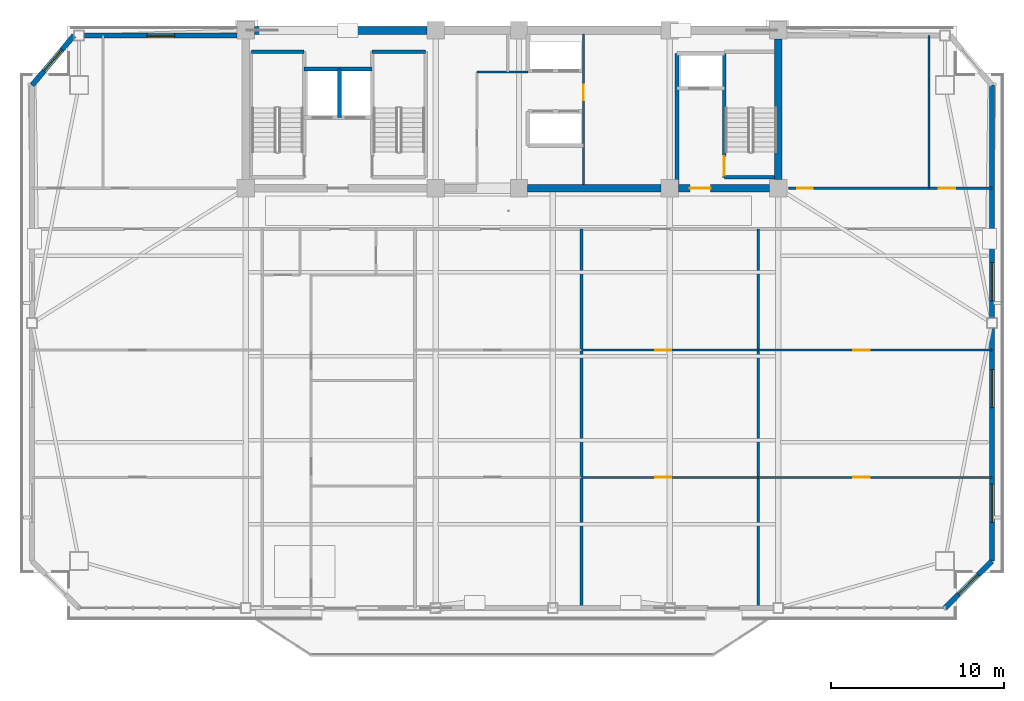
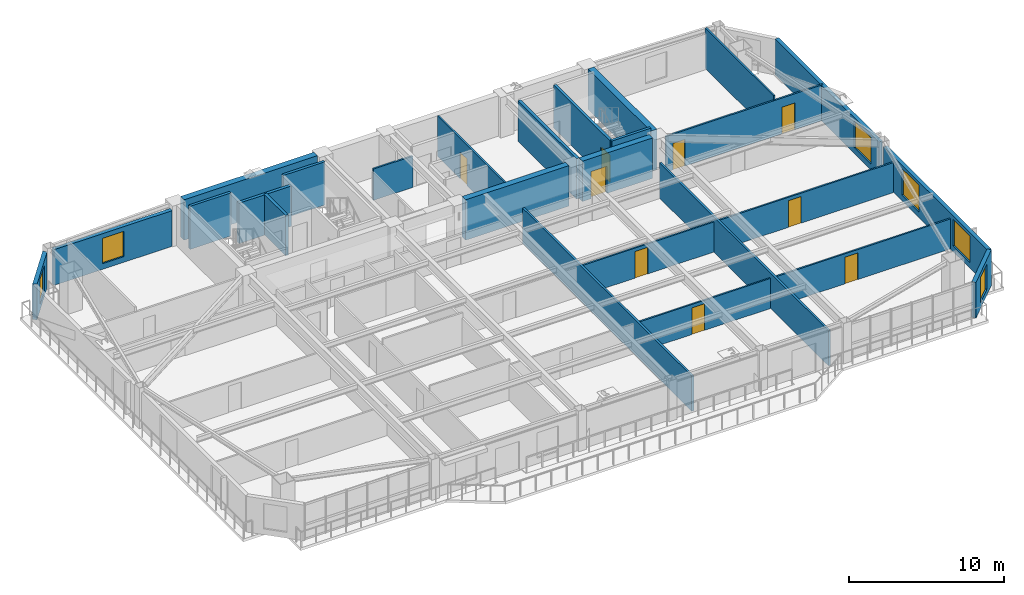
# One storey, part 10 of 16: 26 walls, 9 doors, 6 windows, 15 openings.
"""IFC4 building model written with IfcOpenShell, lengths in metres."""

from ifc_helpers import new_model, si_unit, direction, frame, frame_2d, origin, place, context, subcontext, project, spatial, rectangle, extrude, source, transform, mapped, material, layer, layer_set, type_object, element, fill, save


model = new_model("IFC4")

# Units and contexts
model_context = context("Model", 3, precision=1e-05, world=origin(), true_north=direction((0.0, 1.0)))
body_context = subcontext(model_context, "Body", "Model", "MODEL_VIEW")
ifc_project = project(units=[si_unit("LENGTHUNIT", "METRE"), si_unit("AREAUNIT", "SQUARE_METRE"), si_unit("VOLUMEUNIT", "CUBIC_METRE"), si_unit("PLANEANGLEUNIT", "RADIAN"), si_unit("MASSUNIT", "GRAM", prefix="KILO")], contexts=[model_context])

# Site, building, storey
site_placement = place(None, origin())
site = spatial("IfcSite", under=ifc_project, at=site_placement, CompositionType="ELEMENT")
building_placement = place(site_placement, origin())
building = spatial("IfcBuilding", under=site, at=building_placement, Name="Giltprow Tower", CompositionType="ELEMENT")
storey_placement = place(building_placement, frame((0.0, 0.0, 227.0)))
storey = spatial("IfcBuildingStorey", under=building, at=storey_placement, Name="L57", CompositionType="ELEMENT", Elevation=227.0)

# Wall, opening, window
ifc_material_1 = material(Name="Precast concrete C40", Category="concrete")
ifc_layer_1 = layer(ifc_material_1, 0.300048828125, Name="Precast concrete C40")
ifc_layer_set_1 = layer_set([ifc_layer_1], Name="Precast concrete C40")
wall_type_1 = type_object("IfcWallType", Name="EW-NOTCH-CHAMFER-300", PredefinedType="SOLIDWALL", material=ifc_layer_set_1)
wall_1_placement = place(storey_placement, frame((60.159912109375, 13.25, 0.0), z_axis=(0.0, 0.0, 1.0), x_axis=(0.707106781187, 0.707106781187, 0.0)))
wall_1 = element("IfcWall", 1, at=wall_1_placement, inside=storey, type_object=wall_type_1, Name="L57 Corner Notch Wall SE", PredefinedType="SOLIDWALL", context=body_context, shape_type="SweptSolid", body=[
    extrude(rectangle(XDim=3.828369140625, YDim=0.300048828125, at=frame_2d((1.9140625, 0.0))), origin(), (0.0, 0.0, 1.0), 2.81494140625),
])
opening_1_placement = place(wall_1_placement, frame((1.114013671875, 0.0, 0.449951171875)))
opening_1 = element("IfcOpeningElement", 2, at=opening_1_placement, cuts=wall_1, Name="Opening WN17", PredefinedType="OPENING", context=body_context, shape_type="SweptSolid", body=[
    extrude(rectangle(XDim=1.60009765625, YDim=2.0, at=frame_2d((0.800048828125, 1.0))), frame((0.0, 0.159912109375, 0.0), z_axis=(0.0, -1.0, 0.0), x_axis=(1.0, 0.0, 0.0)), (0.0, 0.0, 1.0), 0.320068359375),
])
ifc_material_2 = material(Name="Insulated glass", Category="glass")
window_type_1 = type_object("IfcWindowType", Name="WN-COR-1600x2000", PartitioningType="SINGLE_PANEL", PredefinedType="WINDOW", material=ifc_material_2)
shared_shape_1 = source(origin(), body_context, "Body", "SweptSolid", [
    extrude(rectangle(XDim=1.60009765625, YDim=2.0, at=frame_2d((0.800048828125, 1.0))), frame((0.0, 0.030029296875, 0.0), z_axis=(0.0, -1.0, 0.0), x_axis=(1.0, 0.0, 0.0)), (0.0, 0.0, 1.0), 0.06005859375),
])
window_1_placement = place(opening_1_placement, origin())
window_1 = element("IfcWindow", 3, at=window_1_placement, inside=storey, type_object=window_type_1, Name="L57 Corner Notch Window SE", OverallHeight=2.0, OverallWidth=1.60009765625, PartitioningType="SINGLE_PANEL", PredefinedType="WINDOW", context=body_context, shape_type="MappedRepresentation", body=[
    mapped(shared_shape_1, transform((0.0, 0.0, 0.0), x_axis=(1.0, 0.0, 0.0), y_axis=(0.0, 1.0, 0.0), z_axis=(0.0, 0.0, 1.0), scale=1.0)),
])
fill(opening_1, window_1)

wall_2_placement = place(storey_placement, frame((9.93994140625, 46.25, 0.0), z_axis=(0.0, 0.0, 1.0), x_axis=(-0.644314839722, -0.764760346326, 0.0)))
wall_2 = element("IfcWall", 4, at=wall_2_placement, inside=storey, type_object=wall_type_1, Name="L57 Corner Notch Wall NW", PredefinedType="SOLIDWALL", context=body_context, shape_type="SweptSolid", body=[
    extrude(rectangle(XDim=3.73583984375, YDim=0.300048828125, at=frame_2d((1.867919921875, 0.0))), origin(), (0.0, 0.0, 1.0), 2.81494140625),
])
opening_2_placement = place(wall_2_placement, frame((1.068115234375, 0.0, 0.449951171875)))
opening_2 = element("IfcOpeningElement", 5, at=opening_2_placement, cuts=wall_2, Name="Opening WN17", PredefinedType="OPENING", context=body_context, shape_type="SweptSolid", body=[
    extrude(rectangle(XDim=1.60009765625, YDim=2.0, at=frame_2d((0.800048828125, 1.0))), frame((0.0, 0.159912109375, 0.0), z_axis=(0.0, -1.0, 0.0), x_axis=(1.0, 0.0, 0.0)), (0.0, 0.0, 1.0), 0.320068359375),
])
window_2_placement = place(opening_2_placement, origin())
window_2 = element("IfcWindow", 6, at=window_2_placement, inside=storey, type_object=window_type_1, Name="L57 Corner Notch Window NW", OverallHeight=2.0, OverallWidth=1.60009765625, PartitioningType="SINGLE_PANEL", PredefinedType="WINDOW", context=body_context, shape_type="MappedRepresentation", body=[
    mapped(shared_shape_1, transform((0.0, 0.0, 0.0), x_axis=(1.0, 0.0, 0.0), y_axis=(0.0, 1.0, 0.0), z_axis=(0.0, 0.0, 1.0), scale=1.0)),
])
fill(opening_2, window_2)

# Wall, openings, windows
ifc_layer_2 = layer(ifc_material_1, 0.280029296875, Name="Precast concrete C40")
ifc_layer_set_2 = layer_set([ifc_layer_2], Name="Precast concrete C40")
wall_type_2 = type_object("IfcWallType", Name="EW-TOW-BRONZE-280", PredefinedType="SOLIDWALL", material=ifc_layer_set_2)
wall_3_placement = place(storey_placement, frame((62.866943359375, 15.95703125, 0.0), z_axis=(0.0, 0.0, 1.0), x_axis=(0.0, 1.0, 0.0)))
wall_3 = element("IfcWall", 7, at=wall_3_placement, inside=storey, type_object=wall_type_2, Name="L57 E Wing Masonry Wall 1", PredefinedType="SOLIDWALL", context=body_context, shape_type="SweptSolid", body=[
    extrude(rectangle(XDim=13.41796875, YDim=0.280029296875, at=frame_2d((6.708984375, 0.0))), origin(), (0.0, 0.0, 1.0), 2.81494140625),
])
opening_3_placement = place(wall_3_placement, frame((2.22705078125, 0.0, 0.449951171875)))
opening_3 = element("IfcOpeningElement", 8, at=opening_3_placement, cuts=wall_3, Name="Opening WN27", PredefinedType="OPENING", context=body_context, shape_type="SweptSolid", body=[
    extrude(rectangle(XDim=2.199951171875, YDim=2.10009765625, at=frame_2d((1.10009765625, 1.050048828125))), frame((0.0, 0.14990234375, 0.0), z_axis=(0.0, -1.0, 0.0), x_axis=(1.0, 0.0, 0.0)), (0.0, 0.0, 1.0), 0.300048828125),
])
opening_4_placement = place(wall_3_placement, frame((8.837890625, 0.0, 0.449951171875)))
opening_4 = element("IfcOpeningElement", 9, at=opening_4_placement, cuts=wall_3, Name="Opening WN27", PredefinedType="OPENING", context=body_context, shape_type="SweptSolid", body=[
    extrude(rectangle(XDim=2.199951171875, YDim=2.10009765625, at=frame_2d((1.10009765625, 1.050048828125))), frame((0.0, 0.14990234375, 0.0), z_axis=(0.0, -1.0, 0.0), x_axis=(1.0, 0.0, 0.0)), (0.0, 0.0, 1.0), 0.300048828125),
])
window_type_2 = type_object("IfcWindowType", Name="WN-RES-2200x2100", PartitioningType="TRIPLE_PANEL_VERTICAL", PredefinedType="WINDOW", material=ifc_material_2)
shared_shape_2 = source(origin(), body_context, "Body", "SweptSolid", [
    extrude(rectangle(XDim=2.199951171875, YDim=2.10009765625, at=frame_2d((1.10009765625, 1.050048828125))), frame((0.0, 0.030029296875, 0.0), z_axis=(0.0, -1.0, 0.0), x_axis=(1.0, 0.0, 0.0)), (0.0, 0.0, 1.0), 0.06005859375),
])
window_3_placement = place(opening_3_placement, origin())
window_3 = element("IfcWindow", 10, at=window_3_placement, inside=storey, type_object=window_type_2, Name="L57 E Wing Window 1-1A", OverallHeight=2.10009765625, OverallWidth=2.199951171875, PartitioningType="SINGLE_PANEL", PredefinedType="WINDOW", context=body_context, shape_type="MappedRepresentation", body=[
    mapped(shared_shape_2, transform((0.0, 0.0, 0.0), x_axis=(1.0, 0.0, 0.0), y_axis=(0.0, 1.0, 0.0), z_axis=(0.0, 0.0, 1.0), scale=1.0)),
])
fill(opening_3, window_3)
window_4_placement = place(opening_4_placement, origin())
window_4 = element("IfcWindow", 11, at=window_4_placement, inside=storey, type_object=window_type_2, Name="L57 E Wing Window 1-1B", OverallHeight=2.10009765625, OverallWidth=2.199951171875, PartitioningType="SINGLE_PANEL", PredefinedType="WINDOW", context=body_context, shape_type="MappedRepresentation", body=[
    mapped(shared_shape_2, transform((0.0, 0.0, 0.0), x_axis=(1.0, 0.0, 0.0), y_axis=(0.0, 1.0, 0.0), z_axis=(0.0, 0.0, 1.0), scale=1.0)),
])
fill(opening_4, window_4)

# Wall, opening, window
wall_4_placement = place(storey_placement, frame((62.866943359375, 29.97509765625, 0.0), z_axis=(0.0, 0.0, 1.0), x_axis=(0.0, 1.0, 0.0)))
wall_4 = element("IfcWall", 12, at=wall_4_placement, inside=storey, type_object=wall_type_2, Name="L57 E Wing Masonry Wall 2", PredefinedType="SOLIDWALL", context=body_context, shape_type="SweptSolid", body=[
    extrude(rectangle(XDim=13.41796875, YDim=0.280029296875, at=frame_2d((6.708984375, 0.0))), origin(), (0.0, 0.0, 1.0), 2.81494140625),
])
opening_5_placement = place(wall_4_placement, frame((0.98388671875, 0.0, 0.449951171875)))
opening_5 = element("IfcOpeningElement", 13, at=opening_5_placement, cuts=wall_4, Name="Opening WN27", PredefinedType="OPENING", context=body_context, shape_type="SweptSolid", body=[
    extrude(rectangle(XDim=2.199951171875, YDim=2.10009765625, at=frame_2d((1.10009765625, 1.050048828125))), frame((0.0, 0.14990234375, 0.0), z_axis=(0.0, -1.0, 0.0), x_axis=(1.0, 0.0, 0.0)), (0.0, 0.0, 1.0), 0.300048828125),
])
window_5_placement = place(opening_5_placement, origin())
window_5 = element("IfcWindow", 14, at=window_5_placement, inside=storey, type_object=window_type_2, Name="L57 E Wing Window 2-1", OverallHeight=2.10009765625, OverallWidth=2.199951171875, PartitioningType="SINGLE_PANEL", PredefinedType="WINDOW", context=body_context, shape_type="MappedRepresentation", body=[
    mapped(shared_shape_2, transform((0.0, 0.0, 0.0), x_axis=(1.0, 0.0, 0.0), y_axis=(0.0, 1.0, 0.0), z_axis=(0.0, 0.0, 1.0), scale=1.0)),
])
fill(opening_5, window_5)

wall_5_placement = place(storey_placement, frame((10.5400390625, 46.25, 0.0), z_axis=(0.0, 0.0, 1.0), x_axis=(1.0, 0.0, 0.0)))
wall_5 = element("IfcWall", 15, at=wall_5_placement, inside=storey, type_object=wall_type_2, Name="L57 North-West Wing Wall", PredefinedType="SOLIDWALL", context=body_context, shape_type="SweptSolid", body=[
    extrude(rectangle(XDim=8.81005859375, YDim=0.280029296875, at=frame_2d((4.405029296875, 0.0))), origin(), (0.0, 0.0, 1.0), 2.81494140625),
])
opening_6_placement = place(wall_5_placement, frame((3.60498046875, 0.0, 0.449951171875)))
opening_6 = element("IfcOpeningElement", 16, at=opening_6_placement, cuts=wall_5, Name="Opening WN17", PredefinedType="OPENING", context=body_context, shape_type="SweptSolid", body=[
    extrude(rectangle(XDim=1.60009765625, YDim=2.0, at=frame_2d((0.800048828125, 1.0))), frame((0.0, 0.14990234375, 0.0), z_axis=(0.0, -1.0, 0.0), x_axis=(1.0, 0.0, 0.0)), (0.0, 0.0, 1.0), 0.300048828125),
])
window_6_placement = place(opening_6_placement, origin())
window_6 = element("IfcWindow", 17, at=window_6_placement, inside=storey, type_object=window_type_1, Name="L57 North-West Window", OverallHeight=2.0, OverallWidth=1.60009765625, PartitioningType="SINGLE_PANEL", PredefinedType="WINDOW", context=body_context, shape_type="MappedRepresentation", body=[
    mapped(shared_shape_1, transform((0.0, 0.0, 0.0), x_axis=(1.0, 0.0, 0.0), y_axis=(0.0, 1.0, 0.0), z_axis=(0.0, 0.0, 1.0), scale=1.0)),
])
fill(opening_6, window_6)

# Walls
ifc_material_3 = material(Name="Gypsum stud partition", Category="gypsum")
ifc_layer_3 = layer(ifc_material_3, 0.159912109375, Name="Gypsum stud partition")
ifc_layer_set_3 = layer_set([ifc_layer_3], Name="Gypsum stud partition")
wall_type_3 = type_object("IfcWallType", Name="IW-DEMISE-160", PredefinedType="PARTITIONING", material=ifc_layer_set_3)
for number, where, z_axis, x_axis, name in (
    (18, (39.199951171875, 13.25, 0.0), (0.0, 0.0, 1.0), (0.0, 1.0, 0.0), "L57 Apartment Party Wall 3"),
    (19, (49.39990234375, 13.25, 0.0), (0.0, 0.0, 1.0), (0.0, 1.0, 0.0), "L57 Apartment Party Wall 4"),
):
    element("IfcWall", number, at=place(storey_placement, frame(where, z_axis=z_axis, x_axis=x_axis)), inside=storey, type_object=wall_type_3, Name=name, PredefinedType="PARTITIONING", context=body_context, shape_type="SweptSolid", body=[
        extrude(rectangle(XDim=21.85009765625, YDim=0.159912109375, at=frame_2d((10.925048828125, 0.0))), origin(), (0.0, 0.0, 1.0), 2.77001953125),
    ])

# Wall, opening, door
ifc_layer_4 = layer(ifc_material_3, 0.1201171875, Name="Gypsum stud partition")
ifc_layer_set_4 = layer_set([ifc_layer_4], Name="Gypsum stud partition")
wall_type_4 = type_object("IfcWallType", Name="IW-ROOM-120", PredefinedType="PARTITIONING", material=ifc_layer_set_4)
wall_6_placement = place(storey_placement, frame((39.199951171875, 20.783935546875, 0.0), z_axis=(0.0, 0.0, 1.0), x_axis=(1.0, 0.0, 0.0)))
wall_6 = element("IfcWall", 20, at=wall_6_placement, inside=storey, type_object=wall_type_4, Name="L57 Special Split 1", PredefinedType="PARTITIONING", context=body_context, shape_type="SweptSolid", body=[
    extrude(rectangle(XDim=10.199951171875, YDim=0.1201171875, at=frame_2d((5.10009765625, 0.0))), origin(), (0.0, 0.0, 1.0), 2.3701171875),
])
opening_7_placement = place(wall_6_placement, frame((4.24609375, 0.0, 0.0)))
opening_7 = element("IfcOpeningElement", 21, at=opening_7_placement, cuts=wall_6, Name="Opening ID11", PredefinedType="OPENING", context=body_context, shape_type="SweptSolid", body=[
    extrude(rectangle(XDim=0.949951171875, YDim=2.10009765625, at=frame_2d((0.47509765625, 1.050048828125))), frame((0.0, 0.070068359375, 0.0), z_axis=(0.0, -1.0, 0.0), x_axis=(1.0, 0.0, 0.0)), (0.0, 0.0, 1.0), 0.14013671875),
])
ifc_material_4 = material(Name="Engineered timber", Category="wood")
door_type_1 = type_object("IfcDoorType", Name="DR-ROOM-950", OperationType="SINGLE_SWING_RIGHT", PredefinedType="DOOR", material=ifc_material_4)
shared_shape_3 = source(origin(), body_context, "Body", "SweptSolid", [
    extrude(rectangle(XDim=0.949951171875, YDim=2.10009765625, at=frame_2d((0.47509765625, 1.050048828125))), frame((0.0, 0.02490234375, 0.0), z_axis=(0.0, -1.0, 0.0), x_axis=(1.0, 0.0, 0.0)), (0.0, 0.0, 1.0), 0.050048828125),
])
door_1_placement = place(opening_7_placement, origin())
door_1 = element("IfcDoor", 22, at=door_1_placement, inside=storey, type_object=door_type_1, Name="L57 Residents Sky Club Lounge South Door", OperationType="SINGLE_SWING_RIGHT", OverallHeight=2.10009765625, OverallWidth=0.949951171875, PredefinedType="DOOR", context=body_context, shape_type="MappedRepresentation", body=[
    mapped(shared_shape_3, transform((0.0, 0.0, 0.0), x_axis=(1.0, 0.0, 0.0), y_axis=(0.0, 1.0, 0.0), z_axis=(0.0, 0.0, 1.0), scale=1.0)),
])
fill(opening_7, door_1)

wall_7_placement = place(storey_placement, frame((39.199951171875, 28.117919921875, 0.0), z_axis=(0.0, 0.0, 1.0), x_axis=(1.0, 0.0, 0.0)))
wall_7 = element("IfcWall", 23, at=wall_7_placement, inside=storey, type_object=wall_type_4, Name="L57 Special Split 2", PredefinedType="PARTITIONING", context=body_context, shape_type="SweptSolid", body=[
    extrude(rectangle(XDim=10.199951171875, YDim=0.1201171875, at=frame_2d((5.10009765625, 0.0))), origin(), (0.0, 0.0, 1.0), 2.3701171875),
])
opening_8_placement = place(wall_7_placement, frame((4.24609375, 0.0, 0.0)))
opening_8 = element("IfcOpeningElement", 24, at=opening_8_placement, cuts=wall_7, Name="Opening ID11", PredefinedType="OPENING", context=body_context, shape_type="SweptSolid", body=[
    extrude(rectangle(XDim=0.949951171875, YDim=2.10009765625, at=frame_2d((0.47509765625, 1.050048828125))), frame((0.0, 0.070068359375, 0.0), z_axis=(0.0, -1.0, 0.0), x_axis=(1.0, 0.0, 0.0)), (0.0, 0.0, 1.0), 0.14013671875),
])
door_2_placement = place(opening_8_placement, origin())
door_2 = element("IfcDoor", 25, at=door_2_placement, inside=storey, type_object=door_type_1, Name="L57 Residents Sky Club Lounge Mid Door", OperationType="SINGLE_SWING_LEFT", OverallHeight=2.10009765625, OverallWidth=0.949951171875, PredefinedType="DOOR", context=body_context, shape_type="MappedRepresentation", body=[
    mapped(shared_shape_3, transform((0.0, 0.0, 0.0), x_axis=(1.0, 0.0, 0.0), y_axis=(0.0, 1.0, 0.0), z_axis=(0.0, 0.0, 1.0), scale=1.0)),
])
fill(opening_8, door_2)

wall_8_placement = place(storey_placement, frame((49.39990234375, 20.783935546875, 0.0), z_axis=(0.0, 0.0, 1.0), x_axis=(1.0, 0.0, 0.0)))
wall_8 = element("IfcWall", 26, at=wall_8_placement, inside=storey, type_object=wall_type_4, Name="L57 Special Split 1", PredefinedType="PARTITIONING", context=body_context, shape_type="SweptSolid", body=[
    extrude(rectangle(XDim=13.467041015625, YDim=0.1201171875, at=frame_2d((6.7333984375, 0.0))), origin(), (0.0, 0.0, 1.0), 2.3701171875),
])
opening_9_placement = place(wall_8_placement, frame((5.472900390625, 0.0, 0.0)))
opening_9 = element("IfcOpeningElement", 27, at=opening_9_placement, cuts=wall_8, Name="Opening ID11", PredefinedType="OPENING", context=body_context, shape_type="SweptSolid", body=[
    extrude(rectangle(XDim=0.949951171875, YDim=2.10009765625, at=frame_2d((0.47509765625, 1.050048828125))), frame((0.0, 0.070068359375, 0.0), z_axis=(0.0, -1.0, 0.0), x_axis=(1.0, 0.0, 0.0)), (0.0, 0.0, 1.0), 0.14013671875),
])
door_3_placement = place(opening_9_placement, origin())
door_3 = element("IfcDoor", 28, at=door_3_placement, inside=storey, type_object=door_type_1, Name="L57 Sky Music Lounge South Door", OperationType="SINGLE_SWING_LEFT", OverallHeight=2.10009765625, OverallWidth=0.949951171875, PredefinedType="DOOR", context=body_context, shape_type="MappedRepresentation", body=[
    mapped(shared_shape_3, transform((0.0, 0.0, 0.0), x_axis=(1.0, 0.0, 0.0), y_axis=(0.0, 1.0, 0.0), z_axis=(0.0, 0.0, 1.0), scale=1.0)),
])
fill(opening_9, door_3)

wall_9_placement = place(storey_placement, frame((49.39990234375, 28.117919921875, 0.0), z_axis=(0.0, 0.0, 1.0), x_axis=(1.0, 0.0, 0.0)))
wall_9 = element("IfcWall", 29, at=wall_9_placement, inside=storey, type_object=wall_type_4, Name="L57 Special Split 2", PredefinedType="PARTITIONING", context=body_context, shape_type="SweptSolid", body=[
    extrude(rectangle(XDim=13.467041015625, YDim=0.1201171875, at=frame_2d((6.7333984375, 0.0))), origin(), (0.0, 0.0, 1.0), 2.3701171875),
])
opening_10_placement = place(wall_9_placement, frame((5.472900390625, 0.0, 0.0)))
opening_10 = element("IfcOpeningElement", 30, at=opening_10_placement, cuts=wall_9, Name="Opening ID11", PredefinedType="OPENING", context=body_context, shape_type="SweptSolid", body=[
    extrude(rectangle(XDim=0.949951171875, YDim=2.10009765625, at=frame_2d((0.47509765625, 1.050048828125))), frame((0.0, 0.070068359375, 0.0), z_axis=(0.0, -1.0, 0.0), x_axis=(1.0, 0.0, 0.0)), (0.0, 0.0, 1.0), 0.14013671875),
])
door_4_placement = place(opening_10_placement, origin())
door_4 = element("IfcDoor", 31, at=door_4_placement, inside=storey, type_object=door_type_1, Name="L57 Sky Music Lounge Mid Door", OperationType="SINGLE_SWING_RIGHT", OverallHeight=2.10009765625, OverallWidth=0.949951171875, PredefinedType="DOOR", context=body_context, shape_type="MappedRepresentation", body=[
    mapped(shared_shape_3, transform((0.0, 0.0, 0.0), x_axis=(1.0, 0.0, 0.0), y_axis=(0.0, 1.0, 0.0), z_axis=(0.0, 0.0, 1.0), scale=1.0)),
])
fill(opening_10, door_4)

# Walls
ifc_material_5 = material(Name="Concrete C40", Category="concrete")
ifc_layer_5 = layer(ifc_material_5, 0.219970703125, Name="Concrete C40")
ifc_layer_set_5 = layer_set([ifc_layer_5], Name="Concrete C40")
wall_type_5 = type_object("IfcWallType", Name="IW-SHAFT-220", PredefinedType="SOLIDWALL", material=ifc_layer_set_5)
wall_10_placement = place(storey_placement, frame((25.260009765625, 41.52001953125, 0.0), z_axis=(0.0, 0.0, 1.0), x_axis=(0.0, 1.0, 0.0)))
element("IfcWall", 32, at=wall_10_placement, inside=storey, type_object=wall_type_5, Name="L57 FFL1-SVL1 Shaft Divider", PredefinedType="SOLIDWALL", context=body_context, shape_type="SweptSolid", body=[
    extrude(rectangle(XDim=2.800048828125, YDim=0.219970703125, at=frame_2d((1.39990234375, 0.0))), origin(), (0.0, 0.0, 1.0), 3.18505859375),
])
wall_11_placement = place(storey_placement, frame((23.219970703125, 44.320068359375, 0.0), z_axis=(0.0, 0.0, 1.0), x_axis=(1.0, 0.0, 0.0)))
element("IfcWall", 33, at=wall_11_placement, inside=storey, type_object=wall_type_5, Name="L57 FFL1-SVL1 Back Shaft Wall", PredefinedType="SOLIDWALL", context=body_context, shape_type="SweptSolid", body=[
    extrude(rectangle(XDim=3.919921875, YDim=0.219970703125, at=frame_2d((1.9599609375, 0.0))), origin(), (0.0, 0.0, 1.0), 3.18505859375),
])
wall_12_placement = place(storey_placement, frame((44.719970703125, 37.655029296875, 0.0), z_axis=(0.0, 0.0, 1.0), x_axis=(0.0, 1.0, 0.0)))
element("IfcWall", 34, at=wall_12_placement, inside=storey, type_object=wall_type_5, Name="L57 East Firefighting Lobby West Wall", PredefinedType="SOLIDWALL", context=body_context, shape_type="SweptSolid", body=[
    extrude(rectangle(XDim=7.56494140625, YDim=0.219970703125, at=frame_2d((3.782470703125, 0.0))), origin(), (0.0, 0.0, 1.0), 3.18505859375),
])
ifc_layer_6 = layer(ifc_material_5, 0.199951171875, Name="Concrete C40")
ifc_layer_set_6 = layer_set([ifc_layer_6], Name="Concrete C40")
wall_type_6 = type_object("IfcWallType", Name="IW-STAIR-200", PredefinedType="SOLIDWALL", material=ifc_layer_set_6)
wall_13_placement = place(storey_placement, frame((20.169921875, 45.320068359375, 0.0), z_axis=(0.0, 0.0, 1.0), x_axis=(1.0, 0.0, 0.0)))
element("IfcWall", 35, at=wall_13_placement, inside=storey, type_object=wall_type_6, Name="L57 Stair ST-1 North Bearing Wall", PredefinedType="SOLIDWALL", context=body_context, shape_type="SweptSolid", body=[
    extrude(rectangle(XDim=3.050048828125, YDim=0.199951171875, at=frame_2d((1.52490234375, 0.0))), origin(), (0.0, 0.0, 1.0), 3.39990234375),
])
wall_14_placement = place(storey_placement, frame((27.139892578125, 45.320068359375, 0.0), z_axis=(0.0, 0.0, 1.0), x_axis=(1.0, 0.0, 0.0)))
element("IfcWall", 36, at=wall_14_placement, inside=storey, type_object=wall_type_6, Name="L57 Stair ST-2 North Bearing Wall", PredefinedType="SOLIDWALL", context=body_context, shape_type="SweptSolid", body=[
    extrude(rectangle(XDim=3.080078125, YDim=0.199951171875, at=frame_2d((1.5400390625, 0.0))), origin(), (0.0, 0.0, 1.0), 3.39990234375),
])

# Wall, opening, door
wall_15_placement = place(storey_placement, frame((47.43994140625, 38.070068359375, 0.0), z_axis=(0.0, 0.0, 1.0), x_axis=(0.0, 1.0, 0.0)))
wall_15 = element("IfcWall", 37, at=wall_15_placement, inside=storey, type_object=wall_type_6, Name="L57 Stair ST-3 West Bearing Wall", PredefinedType="SOLIDWALL", context=body_context, shape_type="SweptSolid", body=[
    extrude(rectangle(XDim=7.25, YDim=0.199951171875, at=frame_2d((3.625, 0.0))), origin(), (0.0, 0.0, 1.0), 3.39990234375),
])
opening_11_placement = place(wall_15_placement, frame((0.110107421875, 0.0, 0.0)))
opening_11 = element("IfcOpeningElement", 38, at=opening_11_placement, cuts=wall_15, Name="Opening ID33", PredefinedType="OPENING", context=body_context, shape_type="SweptSolid", body=[
    extrude(rectangle(XDim=1.10009765625, YDim=2.14990234375, at=frame_2d((0.550048828125, 1.074951171875))), frame((0.0, 0.10986328125, 0.0), z_axis=(0.0, -1.0, 0.0), x_axis=(1.0, 0.0, 0.0)), (0.0, 0.0, 1.0), 0.219970703125),
])
ifc_material_6 = material(Name="Steel fire leaf", Category="steel")
door_type_2 = type_object("IfcDoorType", Name="DR-STAIR-1100", OperationType="SINGLE_SWING_LEFT", PredefinedType="DOOR", material=ifc_material_6)
shared_shape_4 = source(origin(), body_context, "Body", "SweptSolid", [
    extrude(rectangle(XDim=1.10009765625, YDim=2.14990234375, at=frame_2d((0.550048828125, 1.074951171875))), frame((0.0, 0.02490234375, 0.0), z_axis=(0.0, -1.0, 0.0), x_axis=(1.0, 0.0, 0.0)), (0.0, 0.0, 1.0), 0.050048828125),
])
door_5_placement = place(opening_11_placement, origin())
door_5 = element("IfcDoor", 39, at=door_5_placement, inside=storey, type_object=door_type_2, Name="L57 Stair ST-3 Fire Door", OperationType="SINGLE_SWING_LEFT", OverallHeight=2.14990234375, OverallWidth=1.10009765625, PredefinedType="DOOR", context=body_context, shape_type="MappedRepresentation", body=[
    mapped(shared_shape_4, transform((0.0, 0.0, 0.0), x_axis=(1.0, 0.0, 0.0), y_axis=(0.0, 1.0, 0.0), z_axis=(0.0, 0.0, 1.0), scale=1.0)),
])
fill(opening_11, door_5)

# Walls
wall_16_placement = place(storey_placement, frame((47.43994140625, 38.070068359375, 0.0), z_axis=(0.0, 0.0, 1.0), x_axis=(1.0, 0.0, 0.0)))
element("IfcWall", 40, at=wall_16_placement, inside=storey, type_object=wall_type_6, Name="L57 Stair ST-3 South Bearing Wall", PredefinedType="SOLIDWALL", context=body_context, shape_type="SweptSolid", body=[
    extrude(rectangle(XDim=2.905029296875, YDim=0.199951171875, at=frame_2d((1.45263671875, 0.0))), origin(), (0.0, 0.0, 1.0), 3.39990234375),
])
ifc_material_7 = material(Name="Concrete C30", Category="concrete")
ifc_layer_7 = layer(ifc_material_7, 0.1298828125, Name="Concrete C30")
ifc_layer_set_7 = layer_set([ifc_layer_7], Name="Concrete C30")
wall_type_7 = type_object("IfcWallType", Name="IW-WET-130", PredefinedType="PARTITIONING", material=ifc_layer_set_7)
wall_17_placement = place(storey_placement, frame((33.179931640625, 44.14990234375, 0.0), z_axis=(0.0, 0.0, 1.0), x_axis=(1.0, 0.0, 0.0)))
element("IfcWall", 41, at=wall_17_placement, inside=storey, type_object=wall_type_7, Name="L57 Reclaimed West Pocket Wall S", PredefinedType="PARTITIONING", context=body_context, shape_type="SweptSolid", body=[
    extrude(rectangle(XDim=2.940185546875, YDim=0.1298828125, at=frame_2d((1.47021484375, 0.0))), origin(), (0.0, 0.0, 1.0), 2.469970703125),
])

# Wall, opening, door
wall_18_placement = place(storey_placement, frame((39.320068359375, 37.655029296875, 0.0), z_axis=(0.0, 0.0, 1.0), x_axis=(0.0, 1.0, 0.0)))
wall_18 = element("IfcWall", 42, at=wall_18_placement, inside=storey, type_object=wall_type_7, Name="L57 Reclaimed East Core Wall", PredefinedType="PARTITIONING", context=body_context, shape_type="SweptSolid", body=[
    extrude(rectangle(XDim=8.68994140625, YDim=0.1298828125, at=frame_2d((4.344970703125, 0.0))), origin(), (0.0, 0.0, 1.0), 3.18505859375),
])
opening_12_placement = place(wall_18_placement, frame((4.864990234375, 0.0, 0.0)))
opening_12 = element("IfcOpeningElement", 43, at=opening_12_placement, cuts=wall_18, Name="Opening ID35", PredefinedType="OPENING", context=body_context, shape_type="SweptSolid", body=[
    extrude(rectangle(XDim=0.89990234375, YDim=2.10009765625, at=frame_2d((0.449951171875, 1.050048828125))), frame((0.0, 0.074951171875, 0.0), z_axis=(0.0, -1.0, 0.0), x_axis=(1.0, 0.0, 0.0)), (0.0, 0.0, 1.0), 0.14990234375),
])
door_type_3 = type_object("IfcDoorType", Name="DR-SHAFT-900", OperationType="SINGLE_SWING_LEFT", PredefinedType="DOOR", material=ifc_material_6)
shared_shape_5 = source(origin(), body_context, "Body", "SweptSolid", [
    extrude(rectangle(XDim=0.89990234375, YDim=2.10009765625, at=frame_2d((0.449951171875, 1.050048828125))), frame((0.0, 0.02490234375, 0.0), z_axis=(0.0, -1.0, 0.0), x_axis=(1.0, 0.0, 0.0)), (0.0, 0.0, 1.0), 0.050048828125),
])
door_6_placement = place(opening_12_placement, origin())
door_6 = element("IfcDoor", 44, at=door_6_placement, inside=storey, type_object=door_type_3, Name="L57 Core Concierge Parcel Store Door", OperationType="SINGLE_SWING_LEFT", OverallHeight=2.10009765625, OverallWidth=0.89990234375, PredefinedType="DOOR", context=body_context, shape_type="MappedRepresentation", body=[
    mapped(shared_shape_5, transform((0.0, 0.0, 0.0), x_axis=(1.0, 0.0, 0.0), y_axis=(0.0, 1.0, 0.0), z_axis=(0.0, 0.0, 1.0), scale=1.0)),
])
fill(opening_12, door_6)

# Wall, openings, doors
wall_19_placement = place(storey_placement, frame((51.14990234375, 37.449951171875, 0.0), z_axis=(0.0, 0.0, 1.0), x_axis=(1.0, 0.0, 0.0)))
wall_19 = element("IfcWall", 45, at=wall_19_placement, inside=storey, type_object=wall_type_7, Name="L57 NE Wing South Wall", PredefinedType="PARTITIONING", context=body_context, shape_type="SweptSolid", body=[
    extrude(rectangle(XDim=11.717041015625, YDim=0.1298828125, at=frame_2d((5.8583984375, 0.0))), origin(), (0.0, 0.0, 1.0), 2.820068359375),
])
opening_13_placement = place(wall_19_placement, frame((0.5, 0.0, 0.0)))
opening_13 = element("IfcOpeningElement", 46, at=opening_13_placement, cuts=wall_19, Name="Opening ID15", PredefinedType="OPENING", context=body_context, shape_type="SweptSolid", body=[
    extrude(rectangle(XDim=0.89990234375, YDim=2.10009765625, at=frame_2d((0.449951171875, 1.050048828125))), frame((0.0, 0.074951171875, 0.0), z_axis=(0.0, -1.0, 0.0), x_axis=(1.0, 0.0, 0.0)), (0.0, 0.0, 1.0), 0.14990234375),
])
opening_14_placement = place(wall_19_placement, frame((8.64208984375, 0.0, 0.0)))
opening_14 = element("IfcOpeningElement", 47, at=opening_14_placement, cuts=wall_19, Name="Opening ID11", PredefinedType="OPENING", context=body_context, shape_type="SweptSolid", body=[
    extrude(rectangle(XDim=0.949951171875, YDim=2.10009765625, at=frame_2d((0.47509765625, 1.050048828125))), frame((0.0, 0.074951171875, 0.0), z_axis=(0.0, -1.0, 0.0), x_axis=(1.0, 0.0, 0.0)), (0.0, 0.0, 1.0), 0.14990234375),
])
door_type_4 = type_object("IfcDoorType", Name="DR-WC-900", OperationType="SINGLE_SWING_LEFT", PredefinedType="DOOR", material=ifc_material_4)
door_7_placement = place(opening_13_placement, origin())
door_7 = element("IfcDoor", 48, at=door_7_placement, inside=storey, type_object=door_type_4, Name="L57 East Wing Washroom Door", OperationType="SINGLE_SWING_RIGHT", OverallHeight=2.10009765625, OverallWidth=0.89990234375, PredefinedType="DOOR", context=body_context, shape_type="MappedRepresentation", body=[
    mapped(shared_shape_5, transform((0.0, 0.0, 0.0), x_axis=(1.0, 0.0, 0.0), y_axis=(0.0, 1.0, 0.0), z_axis=(0.0, 0.0, 1.0), scale=1.0)),
])
fill(opening_13, door_7)
door_8_placement = place(opening_14_placement, origin())
door_8 = element("IfcDoor", 49, at=door_8_placement, inside=storey, type_object=door_type_1, Name="L57 Residents Reading Lounge Door", OperationType="SINGLE_SWING_LEFT", OverallHeight=2.10009765625, OverallWidth=0.949951171875, PredefinedType="DOOR", context=body_context, shape_type="MappedRepresentation", body=[
    mapped(shared_shape_3, transform((0.0, 0.0, 0.0), x_axis=(1.0, 0.0, 0.0), y_axis=(0.0, 1.0, 0.0), z_axis=(0.0, 0.0, 1.0), scale=1.0)),
])
fill(opening_14, door_8)

# Walls
wall_20_placement = place(storey_placement, frame((59.241943359375, 37.449951171875, 0.0), z_axis=(0.0, 0.0, 1.0), x_axis=(0.0, 1.0, 0.0)))
element("IfcWall", 50, at=wall_20_placement, inside=storey, type_object=wall_type_7, Name="L57 NE Wing Divider", PredefinedType="PARTITIONING", context=body_context, shape_type="SweptSolid", body=[
    extrude(rectangle(XDim=8.800048828125, YDim=0.1298828125, at=frame_2d((4.39990234375, 0.0))), origin(), (0.0, 0.0, 1.0), 3.18505859375),
])
ifc_material_8 = material(Name="Concrete C50", Category="concrete")
ifc_layer_8 = layer(ifc_material_8, 0.449951171875, Name="Concrete C50")
ifc_layer_set_8 = layer_set([ifc_layer_8], Name="Concrete C50")
wall_type_8 = type_object("IfcWallType", Name="SW-EXT-450-C50", PredefinedType="SHEAR", material=ifc_layer_set_8)
wall_21_placement = place(storey_placement, frame((20.35009765625, 46.550048828125, 0.0), z_axis=(0.0, 0.0, 1.0), x_axis=(1.0, 0.0, 0.0)))
element("IfcWall", 51, at=wall_21_placement, inside=storey, type_object=wall_type_8, Name="L57 North Rear Core Shear Wall 1", PredefinedType="SHEAR", context=body_context, shape_type="SweptSolid", body=[
    extrude(rectangle(XDim=9.949951171875, YDim=0.449951171875, at=frame_2d((4.97509765625, 0.0))), origin(), (0.0, 0.0, 1.0), 3.18505859375),
])
ifc_layer_9 = layer(ifc_material_8, 0.449951171875, Name="Concrete C50")
ifc_layer_set_9 = layer_set([ifc_layer_9], Name="Concrete C50")
wall_type_9 = type_object("IfcWallType", Name="SW-INT-450-C50", PredefinedType="SHEAR", material=ifc_layer_set_9)
wall_22_placement = place(storey_placement, frame((36.10009765625, 37.449951171875, 0.0), z_axis=(0.0, 0.0, 1.0), x_axis=(1.0, 0.0, 0.0)))
element("IfcWall", 52, at=wall_22_placement, inside=storey, type_object=wall_type_9, Name="L57 South Rear Core Shear Wall Mid-East", PredefinedType="SHEAR", context=body_context, shape_type="SweptSolid", body=[
    extrude(rectangle(XDim=7.699951171875, YDim=0.449951171875, at=frame_2d((3.85009765625, 0.0))), origin(), (0.0, 0.0, 1.0), 3.18505859375),
])

# Wall, opening, door
wall_23_placement = place(storey_placement, frame((44.800048828125, 37.449951171875, 0.0), z_axis=(0.0, 0.0, 1.0), x_axis=(1.0, 0.0, 0.0)))
wall_23 = element("IfcWall", 53, at=wall_23_placement, inside=storey, type_object=wall_type_9, Name="L57 South Rear Core Shear Wall East", PredefinedType="SHEAR", context=body_context, shape_type="SweptSolid", body=[
    extrude(rectangle(XDim=5.25, YDim=0.449951171875, at=frame_2d((2.625, 0.0))), origin(), (0.0, 0.0, 1.0), 3.18505859375),
])
opening_15_placement = place(wall_23_placement, frame((0.64990234375, 0.0, 0.0)))
opening_15 = element("IfcOpeningElement", 54, at=opening_15_placement, cuts=wall_23, Name="Opening ID19", PredefinedType="OPENING", context=body_context, shape_type="SweptSolid", body=[
    extrude(rectangle(XDim=1.199951171875, YDim=2.14990234375, at=frame_2d((0.60009765625, 1.074951171875))), frame((0.0, 0.23486328125, 0.0), z_axis=(0.0, -1.0, 0.0), x_axis=(1.0, 0.0, 0.0)), (0.0, 0.0, 1.0), 0.469970703125),
])
door_type_5 = type_object("IfcDoorType", Name="DR-FFLOBBY-1200", OperationType="SINGLE_SWING_RIGHT", PredefinedType="DOOR", material=ifc_material_6)
shared_shape_6 = source(origin(), body_context, "Body", "SweptSolid", [
    extrude(rectangle(XDim=1.199951171875, YDim=2.14990234375, at=frame_2d((0.60009765625, 1.074951171875))), frame((0.0, 0.02490234375, 0.0), z_axis=(0.0, -1.0, 0.0), x_axis=(1.0, 0.0, 0.0)), (0.0, 0.0, 1.0), 0.050048828125),
])
door_9_placement = place(opening_15_placement, origin())
door_9 = element("IfcDoor", 55, at=door_9_placement, inside=storey, type_object=door_type_5, Name="L57 East Firefighting Lobby Entry Door", OperationType="SINGLE_SWING_RIGHT", OverallHeight=2.14990234375, OverallWidth=1.199951171875, PredefinedType="DOOR", context=body_context, shape_type="MappedRepresentation", body=[
    mapped(shared_shape_6, transform((0.0, 0.0, 0.0), x_axis=(1.0, 0.0, 0.0), y_axis=(0.0, 1.0, 0.0), z_axis=(0.0, 0.0, 1.0), scale=1.0)),
])
fill(opening_15, door_9)

# Wall
wall_24_placement = place(storey_placement, frame((50.550048828125, 37.949951171875, 0.0), z_axis=(0.0, 0.0, 1.0), x_axis=(0.0, 1.0, 0.0)))
element("IfcWall", 56, at=wall_24_placement, inside=storey, type_object=wall_type_9, Name="L57 E Rear Core Shear Wall", PredefinedType="SHEAR", context=body_context, shape_type="SweptSolid", body=[
    extrude(rectangle(XDim=8.10009765625, YDim=0.449951171875, at=frame_2d((4.050048828125, 0.0))), origin(), (0.0, 0.0, 1.0), 3.18505859375),
])

save(model, "model.ifc")
